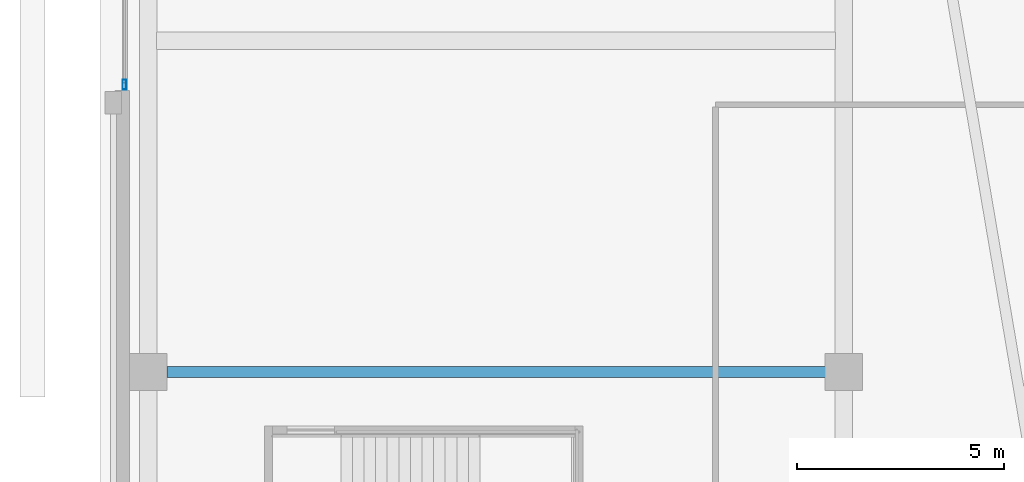
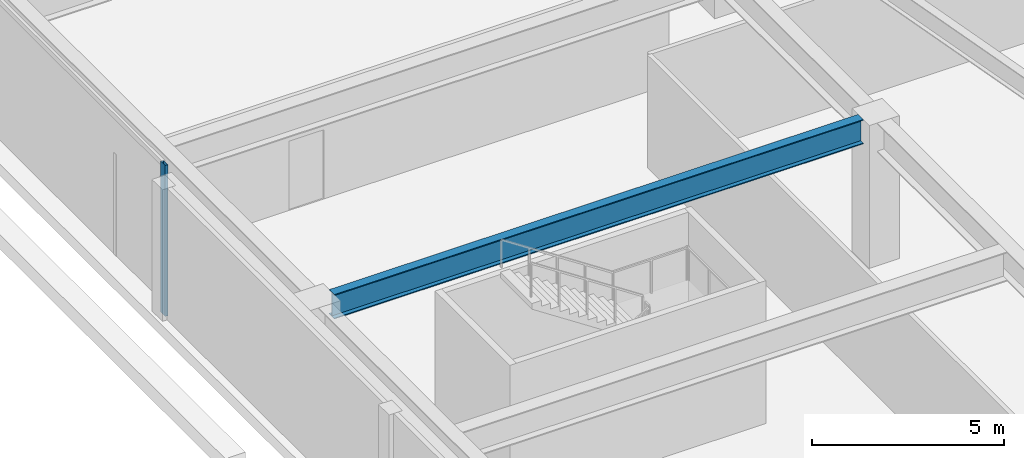
# One storey, part 8 of 44: 1 beam, 1 member, 1 element without a shape of its own.
"""IFC4 building model written with IfcOpenShell, lengths in metres."""

from ifc_helpers import new_model, si_unit, direction, frame, origin, origin_2d, place, context, subcontext, project, spatial, hollow_rectangle, i_section, extrude, material, material_profile, profile_set, type_object, element, aggregate, save


model = new_model("IFC4")

# Units and contexts
model_context = context("Model", 3, precision=1e-05, world=origin(), true_north=direction((0.0, 1.0)))
body_context = subcontext(model_context, "Body", "Model", "MODEL_VIEW")
ifc_project = project(units=[si_unit("LENGTHUNIT", "METRE"), si_unit("AREAUNIT", "SQUARE_METRE"), si_unit("VOLUMEUNIT", "CUBIC_METRE"), si_unit("PLANEANGLEUNIT", "RADIAN"), si_unit("MASSUNIT", "GRAM", prefix="KILO")], contexts=[model_context])

# Site, building, storey
site_placement = place(None, origin())
site = spatial("IfcSite", under=ifc_project, at=site_placement, CompositionType="ELEMENT")
building_placement = place(site_placement, origin())
building = spatial("IfcBuilding", under=site, at=building_placement, Name="Tashvorn Skyway Center", CompositionType="ELEMENT")
storey_placement = place(building_placement, frame((0.0, 0.0, 5.39990234375)))
storey = spatial("IfcBuildingStorey", under=building, at=storey_placement, Name="L01", CompositionType="ELEMENT", Elevation=5.39990234375)

# Beam
ifc_material_1 = material(Name="Steel ASTM A992 Grade 50", Category="steel")
ifc_material_profile_1 = material_profile(ifc_material_1, i_section(OverallWidth=0.26708984375, OverallDepth=0.779052734375, WebThickness=0.0166015625, FlangeThickness=0.030029296875, at=origin_2d()), Name="W30X148")
ifc_profile_set_1 = profile_set([ifc_material_profile_1], Name="Steel ASTM A992 Grade 50")
beam_type = type_object("IfcBeamType", Name="BM-BEAM-W30X148", PredefinedType="BEAM", material=ifc_profile_set_1)
beam_placement = place(storey_placement, frame((1.2451171875, 14.800048828125, 4.150634765625), z_axis=(1.0, 0.0, 0.0), x_axis=(0.0, 1.0, 0.0)))
element("IfcBeam", 1, at=beam_placement, inside=storey, type_object=beam_type, Name="L01 West Auditorium Span Girder 03", PredefinedType="BEAM", context=body_context, shape_type="SweptSolid", body=[
    extrude(i_section(OverallWidth=0.26708984375, OverallDepth=0.779052734375, WebThickness=0.0166015625, FlangeThickness=0.030029296875, at=origin_2d()), origin(), (0.0, 0.0, 1.0), 15.909912109375),
])

# Curtain wall, member
ifc_material_2 = material(Name="Thermally broken bronze-anodized aluminium 6063-T6", Category="aluminium")
curtain_wall_type = type_object("IfcCurtainWallType", Name="CW-CW-Z1", PredefinedType="NOTDEFINED", material=ifc_material_2)
curtain_wall_placement = place(storey_placement, origin())
curtain_wall = element("IfcCurtainWall", 2, at=curtain_wall_placement, inside=storey, type_object=curtain_wall_type, Name="L01 West Station Hall Portal Curtain Wall", PredefinedType="NOTDEFINED")
ifc_material_profile_2 = material_profile(ifc_material_2, hollow_rectangle(XDim=0.0849609375, YDim=0.239990234375, WallThickness=0.0048828125, at=origin_2d()), Name="ALU-MULL-85x240")
ifc_profile_set_2 = profile_set([ifc_material_profile_2], Name="Thermally broken bronze-anodized aluminium 6063-T6")
member_type = type_object("IfcMemberType", Name="CWM-CW-Z1", PredefinedType="MULLION", material=ifc_profile_set_2)
member_placement = place(storey_placement, frame((0.219970703125, 21.742431640625, 0.0), z_axis=(0.0, 0.0, 1.0), x_axis=(-1.0, 0.0, 0.0)))
member = element("IfcMember", 3, at=member_placement, type_object=member_type, Name="CW-Z1 mullion 1", PredefinedType="MULLION", context=body_context, shape_type="SweptSolid", body=[
    extrude(hollow_rectangle(XDim=0.0849609375, YDim=0.239990234375, WallThickness=0.0048828125, at=origin_2d()), origin(), (0.0, 0.0, 1.0), 4.800048828125),
])
aggregate(curtain_wall, [member])

save(model, "model.ifc")
